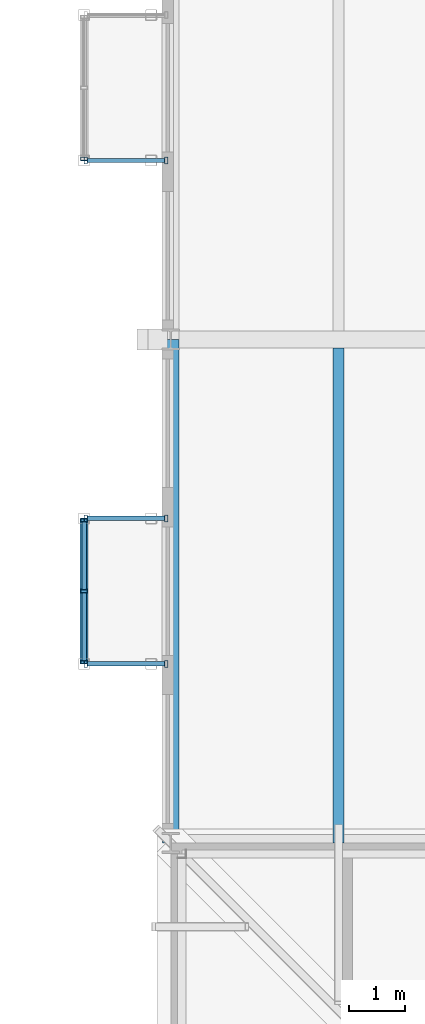
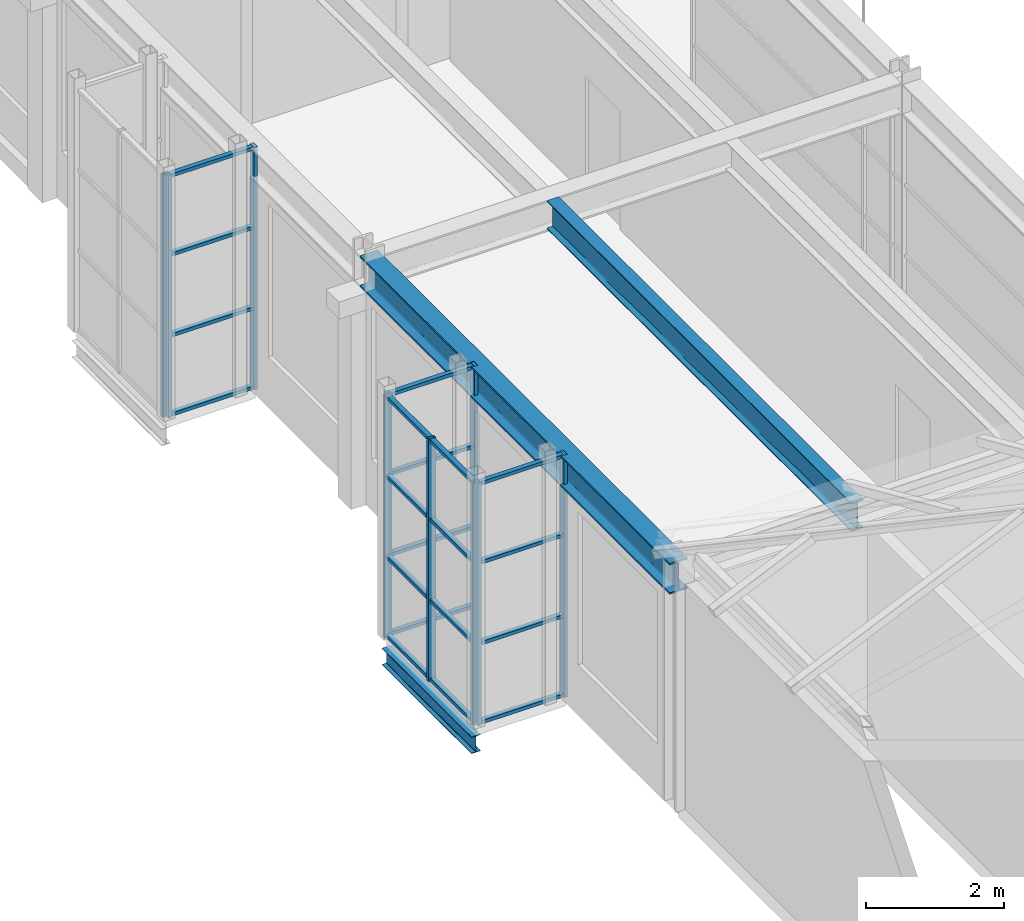
# One storey, part 15 of 149: 30 members, 3 beams, 5 elements without a shape of their own.
"""IFC4 building model written with IfcOpenShell, lengths in metres."""

import ifcopenshell
import ifcopenshell.guid

model = None  # the IFC model being written
_history = None  # IfcOwnerHistory: only IFC2X3 demands one
_inside = {}  # id of a spatial element -> (the spatial element, [elements in it])
_under = {}  # id of a project, library or spatial element -> (it, [spatial elements below it])
_declared = {}  # id of a project -> (the project, [libraries it declares])
_typed = {}  # id of a type object -> (the type object, [elements of that type])
_made_of = {}  # id of a material, layer set ... -> (it, [elements and type objects made of it])


def new_model(schema):
    """Start an empty IFC model of exactly this schema.

    Asked for "IFC4X3", IfcOpenShell would pick the latest addendum, in which some entities
    have other attributes; the version numbers below select the first issue.
    IFC2X3 requires an IfcOwnerHistory on every rooted entity: one is made here for all.
    """
    global model, _history
    if schema == "IFC4X3":
        model = ifcopenshell.file(schema_version=(4, 3, 0, 0))
    else:
        model = ifcopenshell.file(schema=schema)
    _inside.clear()
    _under.clear()
    _declared.clear()
    _typed.clear()
    _made_of.clear()
    _history = None
    if model.schema == "IFC2X3":
        org = make("IfcOrganization", Name="unknown")
        user = make(
            "IfcPersonAndOrganization",
            ThePerson=make("IfcPerson", FamilyName="unknown"),
            TheOrganization=org,
        )
        app = make(
            "IfcApplication",
            ApplicationDeveloper=org,
            Version="unknown",
            ApplicationFullName="unknown",
            ApplicationIdentifier="unknown",
        )
        _history = make(
            "IfcOwnerHistory",
            OwningUser=user,
            OwningApplication=app,
            ChangeAction="ADDED",
            CreationDate=0,
        )
    return model


def make(cls, **values):
    """One entity of the class cls with the attributes given. An attribute that is None is left unset."""
    return model.create_entity(
        cls, **{name: value for name, value in values.items() if value is not None}
    )


def rooted(cls, **values):
    """An entity with a GlobalId (a new one), such as an element, a storey or a relation."""
    return make(cls, GlobalId=ifcopenshell.guid.new(), OwnerHistory=_history, **values)


def si_unit(unit_type, name, prefix=None):
    """IfcSIUnit, for example si_unit("LENGTHUNIT", "METRE", prefix="MILLI")."""
    return make("IfcSIUnit", UnitType=unit_type, Prefix=prefix, Name=name)


def assignment(units):
    """IfcUnitAssignment: the units of a project."""
    return None if units is None else make("IfcUnitAssignment", Units=units)


def point(xyz):
    """IfcCartesianPoint."""
    return None if xyz is None else make("IfcCartesianPoint", Coordinates=xyz)


def direction(xyz):
    """IfcDirection."""
    return None if xyz is None else make("IfcDirection", DirectionRatios=xyz)


def frame(location, z_axis=None, x_axis=None):
    """IfcAxis2Placement3D, a coordinate frame: its origin and axes. An axis left out is left unset."""
    return make(
        "IfcAxis2Placement3D",
        Location=point(location),
        Axis=direction(z_axis),
        RefDirection=direction(x_axis),
    )


def frame_2d(location, x_axis=None):
    """IfcAxis2Placement2D, a coordinate frame in the plane: its origin and x axis."""
    return make(
        "IfcAxis2Placement2D", Location=point(location), RefDirection=direction(x_axis)
    )


def origin():
    """The frame at (0, 0, 0) with its axes left unset."""
    return frame((0.0, 0.0, 0.0))


def origin_2d():
    """The frame at (0, 0) in the plane with its x axis left unset."""
    return frame_2d((0.0, 0.0))


def place(relative_to, where):
    """IfcLocalPlacement: puts the frame where relative to a parent placement (None: the world)."""
    return make(
        "IfcLocalPlacement", PlacementRelTo=relative_to, RelativePlacement=where
    )


def context(
    kind, dimensions, precision=None, world=None, true_north=None, identifier=None
):
    """IfcGeometricRepresentationContext, for example the 3D "Model" context."""
    return make(
        "IfcGeometricRepresentationContext",
        ContextIdentifier=identifier,
        ContextType=kind,
        CoordinateSpaceDimension=dimensions,
        Precision=precision,
        WorldCoordinateSystem=world,
        TrueNorth=true_north,
    )


def subcontext(parent, identifier, kind, view, scale=None):
    """IfcGeometricRepresentationSubContext, for example "Body" below "Model"."""
    return make(
        "IfcGeometricRepresentationSubContext",
        ContextIdentifier=identifier,
        ContextType=kind,
        ParentContext=parent,
        TargetScale=scale,
        TargetView=view,
    )


def project(units=None, contexts=None):
    """IfcProject with its units and contexts."""
    return rooted(
        "IfcProject",
        Name="project",
        RepresentationContexts=contexts,
        UnitsInContext=assignment(units),
    )


def spatial(cls, under=None, at=None, **own):
    """A site, building, storey or space (cls), placed at a placement, below another one or the project."""
    s = rooted(cls, ObjectPlacement=at, **own)
    if under is not None:
        _under.setdefault(under.id(), (under, []))[1].append(s)
    return s


def profile(cls, at=None, kind="AREA", **sizes):
    """A parametric profile (cls). Its sizes go by their IFC names, for example OverallWidth=200.0."""
    return make(cls, ProfileType=kind, Position=at, **sizes)


def hollow_rectangle(**sizes):
    """IfcRectangleHollowProfileDef."""
    return profile("IfcRectangleHollowProfileDef", **sizes)


def i_section(**sizes):
    """IfcIShapeProfileDef."""
    return profile("IfcIShapeProfileDef", **sizes)


def extrude(swept, where, along, depth):
    """IfcExtrudedAreaSolid: the profile swept, set in the frame where, extruded along a direction by depth."""
    return make(
        "IfcExtrudedAreaSolid",
        SweptArea=swept,
        Position=where,
        ExtrudedDirection=direction(along),
        Depth=depth,
    )


def shape(context_of_items, identifier, shape_type, items):
    """IfcShapeRepresentation: the items that make up one representation, for example the "Body"."""
    return make(
        "IfcShapeRepresentation",
        ContextOfItems=context_of_items,
        RepresentationIdentifier=identifier,
        RepresentationType=shape_type,
        Items=items,
    )


def material(Name=None, Category=None):
    """IfcMaterial."""
    return make("IfcMaterial", Name=Name, Category=Category)


def material_profile(
    of_material, cross_section, Name=None, Category=None, Priority=None
):
    """IfcMaterialProfile: a cross section and its material."""
    return make(
        "IfcMaterialProfile",
        Name=Name,
        Material=of_material,
        Profile=cross_section,
        Priority=Priority,
        Category=Category,
    )


def profile_set(profiles, Name=None, composite=None):
    """IfcMaterialProfileSet."""
    return make(
        "IfcMaterialProfileSet",
        Name=Name,
        MaterialProfiles=profiles,
        CompositeProfile=composite,
    )


def made_of(thing, what):
    """Note that an element or type object is made of a material, layer set ...; save() writes the relation."""
    if what is not None:
        _made_of.setdefault(what.id(), (what, []))[1].append(thing)
    return thing


def type_object(cls, material=None, **own):
    """A type object (cls), such as IfcWallType, which elements share."""
    return made_of(rooted(cls, **own), material)


def element(
    cls,
    number,
    at=None,
    inside=None,
    cuts=None,
    type_object=None,
    material=None,
    context=None,
    identifier="Body",
    shape_type=None,
    held_by="IfcProductDefinitionShape",
    body=None,
    shapes=None,
    **own,
):
    """One element of the class cls, such as IfcWall. Its Tag is "e" and its number.

    at: its placement. inside: the storey or other place that contains it. cuts: it is an
    opening in that element (IfcRelVoidsElement). A single representation is given by context,
    identifier, shape_type and body (its items); several are given by shapes. held_by: the class
    of the entity that holds the representations. save() writes the other relations.
    """
    e = rooted(cls, Tag="e%d" % number, ObjectPlacement=at, **own)
    if body is not None:
        shapes = [shape(context, identifier, shape_type, body)]
    if shapes is not None:
        e.Representation = make(held_by, Representations=shapes)
    if inside is not None:
        _inside.setdefault(inside.id(), (inside, []))[1].append(e)
    if cuts is not None:
        rooted(
            "IfcRelVoidsElement", RelatingBuildingElement=cuts, RelatedOpeningElement=e
        )
    if type_object is not None:
        _typed.setdefault(type_object.id(), (type_object, []))[1].append(e)
    return made_of(e, material)


def aggregate(whole, parts):
    """IfcRelAggregates: a whole, such as a stair, and the parts it consists of."""
    return rooted("IfcRelAggregates", RelatingObject=whole, RelatedObjects=parts)


def save(model, path):
    """Write the relations noted so far, then the file.

    IfcRelAggregates (storeys below a building ...), IfcRelContainedInSpatialStructure (elements
    in a storey), IfcRelDefinesByType, IfcRelAssociatesMaterial and IfcRelDeclares: one each for
    every whole, place, type object, material and project.
    """
    for whole, parts in _under.values():
        aggregate(whole, parts)
    for where, things in _inside.values():
        rooted(
            "IfcRelContainedInSpatialStructure",
            RelatedElements=things,
            RelatingStructure=where,
        )
    for kind, things in _typed.values():
        rooted("IfcRelDefinesByType", RelatedObjects=things, RelatingType=kind)
    for what, things in _made_of.values():
        rooted("IfcRelAssociatesMaterial", RelatedObjects=things, RelatingMaterial=what)
    for by, libraries in _declared.values():
        rooted("IfcRelDeclares", RelatingContext=by, RelatedDefinitions=libraries)
    model.write(path)


model = new_model("IFC4")

# Units and contexts
model_context = context("Model", 3, precision=1e-05, world=origin(), true_north=direction((0.0, 1.0)))
body_context = subcontext(model_context, "Body", "Model", "MODEL_VIEW")
ifc_project = project(units=[si_unit("LENGTHUNIT", "METRE"), si_unit("AREAUNIT", "SQUARE_METRE"), si_unit("VOLUMEUNIT", "CUBIC_METRE"), si_unit("PLANEANGLEUNIT", "RADIAN"), si_unit("MASSUNIT", "GRAM", prefix="KILO")], contexts=[model_context])

# Site, building, storey
site_placement = place(None, origin())
site = spatial("IfcSite", under=ifc_project, at=site_placement, CompositionType="ELEMENT")
building_placement = place(site_placement, origin())
building = spatial("IfcBuilding", under=site, at=building_placement, Name="Kallimachos Central Library", CompositionType="ELEMENT")
storey_placement = place(building_placement, frame((0.0, 0.0, 9.89990234375)))
storey = spatial("IfcBuildingStorey", under=building, at=storey_placement, Name="L02", CompositionType="ELEMENT", Elevation=9.89990234375)

# Beams
ifc_material_1 = material(Name="Steel S355J2", Category="steel")
ifc_material_profile_1 = material_profile(ifc_material_1, i_section(OverallWidth=0.300048828125, OverallDepth=0.550048828125, WebThickness=0.014892578125, FlangeThickness=0.029052734375, FilletRadius=0.027099609375, at=origin_2d()), Name="HEB 550")
ifc_profile_set_1 = profile_set([ifc_material_profile_1], Name="Steel S355J2")
beam_type_1 = type_object("IfcBeamType", Name="HEB 550 beam", PredefinedType="BEAM", material=ifc_profile_set_1)
beam_1_placement = place(storey_placement, frame((65.5, 57.0, 4.025146484375), z_axis=(0.0, 1.0, 0.0), x_axis=(-1.0, 0.0, 0.0)))
element("IfcBeam", 1, at=beam_1_placement, inside=storey, type_object=beam_type_1, Name="V4-BEM-L02-023", PredefinedType="BEAM", context=body_context, shape_type="SweptSolid", body=[
    extrude(i_section(OverallWidth=0.300048828125, OverallDepth=0.550048828125, WebThickness=0.014892578125, FlangeThickness=0.029052734375, FilletRadius=0.027099609375, at=origin_2d()), origin(), (0.0, 0.0, 1.0), 9.0),
])
ifc_material_2 = material(Name="Steel S355J2", Category="steel")
ifc_material_profile_2 = material_profile(ifc_material_2, i_section(OverallWidth=0.14990234375, OverallDepth=0.300048828125, WebThickness=0.007080078125, FlangeThickness=0.0107421875, FilletRadius=0.014892578125, at=origin_2d()), Name="IPE 300")
ifc_profile_set_2 = profile_set([ifc_material_profile_2], Name="Steel S355J2")
beam_type_2 = type_object("IfcBeamType", Name="IPE 300 beam", PredefinedType="BEAM", material=ifc_profile_set_2)
beam_2_placement = place(storey_placement, frame((63.949951171875, 60.199951171875, -0.349853515625), z_axis=(0.0, 1.0, 0.0), x_axis=(-1.0, 0.0, 0.0)))
element("IfcBeam", 2, at=beam_2_placement, inside=storey, type_object=beam_type_2, Name="Tribune bay W1 edge beam L02", PredefinedType="BEAM", context=body_context, shape_type="SweptSolid", body=[
    extrude(i_section(OverallWidth=0.14990234375, OverallDepth=0.300048828125, WebThickness=0.007080078125, FlangeThickness=0.0107421875, FilletRadius=0.014892578125, at=origin_2d()), origin(), (0.0, 0.0, 1.0), 2.60009765625),
])
ifc_material_3 = material(Name="Steel S355J2", Category="steel")
ifc_material_profile_3 = material_profile(ifc_material_3, i_section(OverallWidth=0.199951171875, OverallDepth=0.5, WebThickness=0.01025390625, FlangeThickness=0.01611328125, FilletRadius=0.02099609375, at=origin_2d()), Name="IPE 500")
ifc_profile_set_3 = profile_set([ifc_material_profile_3], Name="Steel S355J2")
beam_type_3 = type_object("IfcBeamType", Name="IPE 500 beam", PredefinedType="BEAM", material=ifc_profile_set_3)
beam_3_placement = place(storey_placement, frame((68.5, 57.0, 4.050048828125), z_axis=(0.0, 1.0, 0.0), x_axis=(-1.0, 0.0, 0.0)))
element("IfcBeam", 3, at=beam_3_placement, inside=storey, type_object=beam_type_3, Name="V4-BEM-L02-027", PredefinedType="BEAM", context=body_context, shape_type="SweptSolid", body=[
    extrude(i_section(OverallWidth=0.199951171875, OverallDepth=0.5, WebThickness=0.01025390625, FlangeThickness=0.01611328125, FilletRadius=0.02099609375, at=origin_2d()), origin(), (0.0, 0.0, 1.0), 8.85009765625),
])

# Curtain wall, members
ifc_material_4 = material(Name="Aluminium and laminated glass", Category="aluminium")
curtain_wall_type = type_object("IfcCurtainWallType", Name="Tribune bay glazed screen", PredefinedType="NOTDEFINED", material=ifc_material_4)
curtain_wall_1_placement = place(storey_placement, origin())
curtain_wall_1 = element("IfcCurtainWall", 4, at=curtain_wall_1_placement, inside=storey, type_object=curtain_wall_type, Name="Tribune bay W1 L02 front", PredefinedType="NOTDEFINED")
ifc_material_5 = material(Name="Anodised aluminium", Category="aluminium")
ifc_material_profile_4 = material_profile(ifc_material_5, hollow_rectangle(XDim=0.06005859375, YDim=0.1201171875, WallThickness=0.00390625, at=origin_2d()), Name="ALU MULLION 60x120")
ifc_profile_set_4 = profile_set([ifc_material_profile_4], Name="Anodised aluminium")
member_type_1 = type_object("IfcMemberType", Name="Tribune bay mullion", PredefinedType="MULLION", material=ifc_profile_set_4)
member_1_placement = place(storey_placement, frame((63.949951171875, 60.22998046875, 0.0), z_axis=(0.0, 0.0, 1.0), x_axis=(0.0, 1.0, 0.0)))
member_1 = element("IfcMember", 5, at=member_1_placement, type_object=member_type_1, Name="CW mullion 1", PredefinedType="MULLION", context=body_context, shape_type="SweptSolid", body=[
    extrude(hollow_rectangle(XDim=0.06005859375, YDim=0.1201171875, WallThickness=0.00390625, at=origin_2d()), origin(), (0.0, 0.0, 1.0), 4.300048828125),
])
member_2_placement = place(storey_placement, frame((63.949951171875, 61.5, 0.0), z_axis=(0.0, 0.0, 1.0), x_axis=(0.0, 1.0, 0.0)))
member_2 = element("IfcMember", 6, at=member_2_placement, type_object=member_type_1, Name="CW mullion 2", PredefinedType="MULLION", context=body_context, shape_type="SweptSolid", body=[
    extrude(hollow_rectangle(XDim=0.06005859375, YDim=0.1201171875, WallThickness=0.00390625, at=origin_2d()), origin(), (0.0, 0.0, 1.0), 4.300048828125),
])
member_3_placement = place(storey_placement, frame((63.949951171875, 62.77001953125, 0.0), z_axis=(0.0, 0.0, 1.0), x_axis=(0.0, 1.0, 0.0)))
member_3 = element("IfcMember", 7, at=member_3_placement, type_object=member_type_1, Name="CW mullion 3", PredefinedType="MULLION", context=body_context, shape_type="SweptSolid", body=[
    extrude(hollow_rectangle(XDim=0.06005859375, YDim=0.1201171875, WallThickness=0.00390625, at=origin_2d()), origin(), (0.0, 0.0, 1.0), 4.300048828125),
])

curtain_wall_2_placement = place(storey_placement, origin())
curtain_wall_2 = element("IfcCurtainWall", 8, at=curtain_wall_2_placement, inside=storey, type_object=curtain_wall_type, Name="Tribune bay W1 L02 return 1", PredefinedType="NOTDEFINED")
member_4_placement = place(storey_placement, frame((65.419921875, 60.199951171875, 0.0), z_axis=(0.0, 0.0, 1.0), x_axis=(-1.0, 0.0, 0.0)))
member_4 = element("IfcMember", 9, at=member_4_placement, type_object=member_type_1, Name="CW mullion 1", PredefinedType="MULLION", context=body_context, shape_type="SweptSolid", body=[
    extrude(hollow_rectangle(XDim=0.06005859375, YDim=0.1201171875, WallThickness=0.00390625, at=origin_2d()), origin(), (0.0, 0.0, 1.0), 4.300048828125),
])
member_5_placement = place(storey_placement, frame((63.97998046875, 60.199951171875, 0.0), z_axis=(0.0, 0.0, 1.0), x_axis=(-1.0, 0.0, 0.0)))
member_5 = element("IfcMember", 10, at=member_5_placement, type_object=member_type_1, Name="CW mullion 2", PredefinedType="MULLION", context=body_context, shape_type="SweptSolid", body=[
    extrude(hollow_rectangle(XDim=0.06005859375, YDim=0.1201171875, WallThickness=0.00390625, at=origin_2d()), origin(), (0.0, 0.0, 1.0), 4.300048828125),
])

curtain_wall_3_placement = place(storey_placement, origin())
curtain_wall_3 = element("IfcCurtainWall", 11, at=curtain_wall_3_placement, inside=storey, type_object=curtain_wall_type, Name="Tribune bay W1 L02 return 2", PredefinedType="NOTDEFINED")
member_6_placement = place(storey_placement, frame((65.419921875, 62.800048828125, 0.0), z_axis=(0.0, 0.0, 1.0), x_axis=(-1.0, 0.0, 0.0)))
member_6 = element("IfcMember", 12, at=member_6_placement, type_object=member_type_1, Name="CW mullion 1", PredefinedType="MULLION", context=body_context, shape_type="SweptSolid", body=[
    extrude(hollow_rectangle(XDim=0.06005859375, YDim=0.1201171875, WallThickness=0.00390625, at=origin_2d()), origin(), (0.0, 0.0, 1.0), 4.300048828125),
])
member_7_placement = place(storey_placement, frame((63.97998046875, 62.800048828125, 0.0), z_axis=(0.0, 0.0, 1.0), x_axis=(-1.0, 0.0, 0.0)))
member_7 = element("IfcMember", 13, at=member_7_placement, type_object=member_type_1, Name="CW mullion 2", PredefinedType="MULLION", context=body_context, shape_type="SweptSolid", body=[
    extrude(hollow_rectangle(XDim=0.06005859375, YDim=0.1201171875, WallThickness=0.00390625, at=origin_2d()), origin(), (0.0, 0.0, 1.0), 4.300048828125),
])

# Curtain wall, member
curtain_wall_4_placement = place(storey_placement, origin())
curtain_wall_4 = element("IfcCurtainWall", 14, at=curtain_wall_4_placement, inside=storey, type_object=curtain_wall_type, Name="Tribune bay W2 L02 front", PredefinedType="NOTDEFINED")
member_8_placement = place(storey_placement, frame((63.949951171875, 69.22998046875, 0.0), z_axis=(0.0, 0.0, 1.0), x_axis=(0.0, 1.0, 0.0)))
member_8 = element("IfcMember", 15, at=member_8_placement, type_object=member_type_1, Name="CW mullion 1", PredefinedType="MULLION", context=body_context, shape_type="SweptSolid", body=[
    extrude(hollow_rectangle(XDim=0.06005859375, YDim=0.1201171875, WallThickness=0.00390625, at=origin_2d()), origin(), (0.0, 0.0, 1.0), 4.300048828125),
])
aggregate(curtain_wall_4, [member_8])

# Curtain wall, members
curtain_wall_5_placement = place(storey_placement, origin())
curtain_wall_5 = element("IfcCurtainWall", 16, at=curtain_wall_5_placement, inside=storey, type_object=curtain_wall_type, Name="Tribune bay W2 L02 return 1", PredefinedType="NOTDEFINED")
member_9_placement = place(storey_placement, frame((65.419921875, 69.199951171875, 0.0), z_axis=(0.0, 0.0, 1.0), x_axis=(-1.0, 0.0, 0.0)))
member_9 = element("IfcMember", 17, at=member_9_placement, type_object=member_type_1, Name="CW mullion 1", PredefinedType="MULLION", context=body_context, shape_type="SweptSolid", body=[
    extrude(hollow_rectangle(XDim=0.06005859375, YDim=0.1201171875, WallThickness=0.00390625, at=origin_2d()), origin(), (0.0, 0.0, 1.0), 4.300048828125),
])
member_10_placement = place(storey_placement, frame((63.97998046875, 69.199951171875, 0.0), z_axis=(0.0, 0.0, 1.0), x_axis=(-1.0, 0.0, 0.0)))
member_10 = element("IfcMember", 18, at=member_10_placement, type_object=member_type_1, Name="CW mullion 2", PredefinedType="MULLION", context=body_context, shape_type="SweptSolid", body=[
    extrude(hollow_rectangle(XDim=0.06005859375, YDim=0.1201171875, WallThickness=0.00390625, at=origin_2d()), origin(), (0.0, 0.0, 1.0), 4.300048828125),
])

# Member
ifc_material_6 = material(Name="Anodised aluminium", Category="aluminium")
ifc_material_profile_5 = material_profile(ifc_material_6, hollow_rectangle(XDim=0.06005859375, YDim=0.080078125, WallThickness=0.00390625, at=origin_2d()), Name="ALU TRANSOM 60x80")
ifc_profile_set_5 = profile_set([ifc_material_profile_5], Name="Anodised aluminium")
member_type_2 = type_object("IfcMemberType", Name="Tribune bay transom", PredefinedType="USERDEFINED", material=ifc_profile_set_5)
member_11_placement = place(storey_placement, frame((63.949951171875, 60.260009765625, 0.030029296875), z_axis=(0.0, 1.0, 0.0), x_axis=(0.0, 0.0, 1.0)))
member_11 = element("IfcMember", 19, at=member_11_placement, type_object=member_type_2, Name="CW transom 1.1", ObjectType="TRANSOM", PredefinedType="USERDEFINED", context=body_context, shape_type="SweptSolid", body=[
    extrude(hollow_rectangle(XDim=0.06005859375, YDim=0.080078125, WallThickness=0.00390625, at=origin_2d()), origin(), (0.0, 0.0, 1.0), 1.2099609375),
])

member_12_placement = place(storey_placement, frame((63.949951171875, 60.260009765625, 1.433349609375), z_axis=(0.0, 1.0, 0.0), x_axis=(0.0, 0.0, 1.0)))
member_12 = element("IfcMember", 20, at=member_12_placement, type_object=member_type_2, Name="CW transom 1.2", ObjectType="TRANSOM", PredefinedType="USERDEFINED", context=body_context, shape_type="SweptSolid", body=[
    extrude(hollow_rectangle(XDim=0.06005859375, YDim=0.080078125, WallThickness=0.00390625, at=origin_2d()), origin(), (0.0, 0.0, 1.0), 1.2099609375),
])

member_13_placement = place(storey_placement, frame((63.949951171875, 60.260009765625, 2.86669921875), z_axis=(0.0, 1.0, 0.0), x_axis=(0.0, 0.0, 1.0)))
member_13 = element("IfcMember", 21, at=member_13_placement, type_object=member_type_2, Name="CW transom 1.3", ObjectType="TRANSOM", PredefinedType="USERDEFINED", context=body_context, shape_type="SweptSolid", body=[
    extrude(hollow_rectangle(XDim=0.06005859375, YDim=0.080078125, WallThickness=0.00390625, at=origin_2d()), origin(), (0.0, 0.0, 1.0), 1.2099609375),
])

member_14_placement = place(storey_placement, frame((63.949951171875, 60.260009765625, 4.27001953125), z_axis=(0.0, 1.0, 0.0), x_axis=(0.0, 0.0, 1.0)))
member_14 = element("IfcMember", 22, at=member_14_placement, type_object=member_type_2, Name="CW transom 1.4", ObjectType="TRANSOM", PredefinedType="USERDEFINED", context=body_context, shape_type="SweptSolid", body=[
    extrude(hollow_rectangle(XDim=0.06005859375, YDim=0.080078125, WallThickness=0.00390625, at=origin_2d()), origin(), (0.0, 0.0, 1.0), 1.2099609375),
])

member_15_placement = place(storey_placement, frame((63.949951171875, 61.530029296875, 0.030029296875), z_axis=(0.0, 1.0, 0.0), x_axis=(0.0, 0.0, 1.0)))
member_15 = element("IfcMember", 23, at=member_15_placement, type_object=member_type_2, Name="CW transom 2.1", ObjectType="TRANSOM", PredefinedType="USERDEFINED", context=body_context, shape_type="SweptSolid", body=[
    extrude(hollow_rectangle(XDim=0.06005859375, YDim=0.080078125, WallThickness=0.00390625, at=origin_2d()), origin(), (0.0, 0.0, 1.0), 1.2099609375),
])

member_16_placement = place(storey_placement, frame((63.949951171875, 61.530029296875, 1.433349609375), z_axis=(0.0, 1.0, 0.0), x_axis=(0.0, 0.0, 1.0)))
member_16 = element("IfcMember", 24, at=member_16_placement, type_object=member_type_2, Name="CW transom 2.2", ObjectType="TRANSOM", PredefinedType="USERDEFINED", context=body_context, shape_type="SweptSolid", body=[
    extrude(hollow_rectangle(XDim=0.06005859375, YDim=0.080078125, WallThickness=0.00390625, at=origin_2d()), origin(), (0.0, 0.0, 1.0), 1.2099609375),
])

member_17_placement = place(storey_placement, frame((63.949951171875, 61.530029296875, 2.86669921875), z_axis=(0.0, 1.0, 0.0), x_axis=(0.0, 0.0, 1.0)))
member_17 = element("IfcMember", 25, at=member_17_placement, type_object=member_type_2, Name="CW transom 2.3", ObjectType="TRANSOM", PredefinedType="USERDEFINED", context=body_context, shape_type="SweptSolid", body=[
    extrude(hollow_rectangle(XDim=0.06005859375, YDim=0.080078125, WallThickness=0.00390625, at=origin_2d()), origin(), (0.0, 0.0, 1.0), 1.2099609375),
])

member_18_placement = place(storey_placement, frame((63.949951171875, 61.530029296875, 4.27001953125), z_axis=(0.0, 1.0, 0.0), x_axis=(0.0, 0.0, 1.0)))
member_18 = element("IfcMember", 26, at=member_18_placement, type_object=member_type_2, Name="CW transom 2.4", ObjectType="TRANSOM", PredefinedType="USERDEFINED", context=body_context, shape_type="SweptSolid", body=[
    extrude(hollow_rectangle(XDim=0.06005859375, YDim=0.080078125, WallThickness=0.00390625, at=origin_2d()), origin(), (0.0, 0.0, 1.0), 1.2099609375),
])

aggregate(curtain_wall_1, [member_1, member_2, member_3, member_11, member_12, member_13, member_14, member_15, member_16, member_17, member_18])

member_19_placement = place(storey_placement, frame((65.389892578125, 60.199951171875, 0.030029296875), z_axis=(-1.0, 0.0, 0.0), x_axis=(0.0, 0.0, 1.0)))
member_19 = element("IfcMember", 27, at=member_19_placement, type_object=member_type_2, Name="CW transom 1.1", ObjectType="TRANSOM", PredefinedType="USERDEFINED", context=body_context, shape_type="SweptSolid", body=[
    extrude(hollow_rectangle(XDim=0.06005859375, YDim=0.080078125, WallThickness=0.00390625, at=origin_2d()), origin(), (0.0, 0.0, 1.0), 1.3798828125),
])

member_20_placement = place(storey_placement, frame((65.389892578125, 60.199951171875, 1.433349609375), z_axis=(-1.0, 0.0, 0.0), x_axis=(0.0, 0.0, 1.0)))
member_20 = element("IfcMember", 28, at=member_20_placement, type_object=member_type_2, Name="CW transom 1.2", ObjectType="TRANSOM", PredefinedType="USERDEFINED", context=body_context, shape_type="SweptSolid", body=[
    extrude(hollow_rectangle(XDim=0.06005859375, YDim=0.080078125, WallThickness=0.00390625, at=origin_2d()), origin(), (0.0, 0.0, 1.0), 1.3798828125),
])

member_21_placement = place(storey_placement, frame((65.389892578125, 60.199951171875, 2.86669921875), z_axis=(-1.0, 0.0, 0.0), x_axis=(0.0, 0.0, 1.0)))
member_21 = element("IfcMember", 29, at=member_21_placement, type_object=member_type_2, Name="CW transom 1.3", ObjectType="TRANSOM", PredefinedType="USERDEFINED", context=body_context, shape_type="SweptSolid", body=[
    extrude(hollow_rectangle(XDim=0.06005859375, YDim=0.080078125, WallThickness=0.00390625, at=origin_2d()), origin(), (0.0, 0.0, 1.0), 1.3798828125),
])

member_22_placement = place(storey_placement, frame((65.389892578125, 60.199951171875, 4.27001953125), z_axis=(-1.0, 0.0, 0.0), x_axis=(0.0, 0.0, 1.0)))
member_22 = element("IfcMember", 30, at=member_22_placement, type_object=member_type_2, Name="CW transom 1.4", ObjectType="TRANSOM", PredefinedType="USERDEFINED", context=body_context, shape_type="SweptSolid", body=[
    extrude(hollow_rectangle(XDim=0.06005859375, YDim=0.080078125, WallThickness=0.00390625, at=origin_2d()), origin(), (0.0, 0.0, 1.0), 1.3798828125),
])

aggregate(curtain_wall_2, [member_4, member_5, member_19, member_20, member_21, member_22])

member_23_placement = place(storey_placement, frame((65.389892578125, 62.800048828125, 0.030029296875), z_axis=(-1.0, 0.0, 0.0), x_axis=(0.0, 0.0, 1.0)))
member_23 = element("IfcMember", 31, at=member_23_placement, type_object=member_type_2, Name="CW transom 1.1", ObjectType="TRANSOM", PredefinedType="USERDEFINED", context=body_context, shape_type="SweptSolid", body=[
    extrude(hollow_rectangle(XDim=0.06005859375, YDim=0.080078125, WallThickness=0.00390625, at=origin_2d()), origin(), (0.0, 0.0, 1.0), 1.3798828125),
])

member_24_placement = place(storey_placement, frame((65.389892578125, 62.800048828125, 1.433349609375), z_axis=(-1.0, 0.0, 0.0), x_axis=(0.0, 0.0, 1.0)))
member_24 = element("IfcMember", 32, at=member_24_placement, type_object=member_type_2, Name="CW transom 1.2", ObjectType="TRANSOM", PredefinedType="USERDEFINED", context=body_context, shape_type="SweptSolid", body=[
    extrude(hollow_rectangle(XDim=0.06005859375, YDim=0.080078125, WallThickness=0.00390625, at=origin_2d()), origin(), (0.0, 0.0, 1.0), 1.3798828125),
])

member_25_placement = place(storey_placement, frame((65.389892578125, 62.800048828125, 2.86669921875), z_axis=(-1.0, 0.0, 0.0), x_axis=(0.0, 0.0, 1.0)))
member_25 = element("IfcMember", 33, at=member_25_placement, type_object=member_type_2, Name="CW transom 1.3", ObjectType="TRANSOM", PredefinedType="USERDEFINED", context=body_context, shape_type="SweptSolid", body=[
    extrude(hollow_rectangle(XDim=0.06005859375, YDim=0.080078125, WallThickness=0.00390625, at=origin_2d()), origin(), (0.0, 0.0, 1.0), 1.3798828125),
])

member_26_placement = place(storey_placement, frame((65.389892578125, 62.800048828125, 4.27001953125), z_axis=(-1.0, 0.0, 0.0), x_axis=(0.0, 0.0, 1.0)))
member_26 = element("IfcMember", 34, at=member_26_placement, type_object=member_type_2, Name="CW transom 1.4", ObjectType="TRANSOM", PredefinedType="USERDEFINED", context=body_context, shape_type="SweptSolid", body=[
    extrude(hollow_rectangle(XDim=0.06005859375, YDim=0.080078125, WallThickness=0.00390625, at=origin_2d()), origin(), (0.0, 0.0, 1.0), 1.3798828125),
])

aggregate(curtain_wall_3, [member_6, member_7, member_23, member_24, member_25, member_26])

member_27_placement = place(storey_placement, frame((65.389892578125, 69.199951171875, 0.030029296875), z_axis=(-1.0, 0.0, 0.0), x_axis=(0.0, 0.0, 1.0)))
member_27 = element("IfcMember", 35, at=member_27_placement, type_object=member_type_2, Name="CW transom 1.1", ObjectType="TRANSOM", PredefinedType="USERDEFINED", context=body_context, shape_type="SweptSolid", body=[
    extrude(hollow_rectangle(XDim=0.06005859375, YDim=0.080078125, WallThickness=0.00390625, at=origin_2d()), origin(), (0.0, 0.0, 1.0), 1.3798828125),
])

member_28_placement = place(storey_placement, frame((65.389892578125, 69.199951171875, 1.433349609375), z_axis=(-1.0, 0.0, 0.0), x_axis=(0.0, 0.0, 1.0)))
member_28 = element("IfcMember", 36, at=member_28_placement, type_object=member_type_2, Name="CW transom 1.2", ObjectType="TRANSOM", PredefinedType="USERDEFINED", context=body_context, shape_type="SweptSolid", body=[
    extrude(hollow_rectangle(XDim=0.06005859375, YDim=0.080078125, WallThickness=0.00390625, at=origin_2d()), origin(), (0.0, 0.0, 1.0), 1.3798828125),
])

member_29_placement = place(storey_placement, frame((65.389892578125, 69.199951171875, 2.86669921875), z_axis=(-1.0, 0.0, 0.0), x_axis=(0.0, 0.0, 1.0)))
member_29 = element("IfcMember", 37, at=member_29_placement, type_object=member_type_2, Name="CW transom 1.3", ObjectType="TRANSOM", PredefinedType="USERDEFINED", context=body_context, shape_type="SweptSolid", body=[
    extrude(hollow_rectangle(XDim=0.06005859375, YDim=0.080078125, WallThickness=0.00390625, at=origin_2d()), origin(), (0.0, 0.0, 1.0), 1.3798828125),
])

member_30_placement = place(storey_placement, frame((65.389892578125, 69.199951171875, 4.27001953125), z_axis=(-1.0, 0.0, 0.0), x_axis=(0.0, 0.0, 1.0)))
member_30 = element("IfcMember", 38, at=member_30_placement, type_object=member_type_2, Name="CW transom 1.4", ObjectType="TRANSOM", PredefinedType="USERDEFINED", context=body_context, shape_type="SweptSolid", body=[
    extrude(hollow_rectangle(XDim=0.06005859375, YDim=0.080078125, WallThickness=0.00390625, at=origin_2d()), origin(), (0.0, 0.0, 1.0), 1.3798828125),
])

aggregate(curtain_wall_5, [member_9, member_10, member_27, member_28, member_29, member_30])

save(model, "model.ifc")
